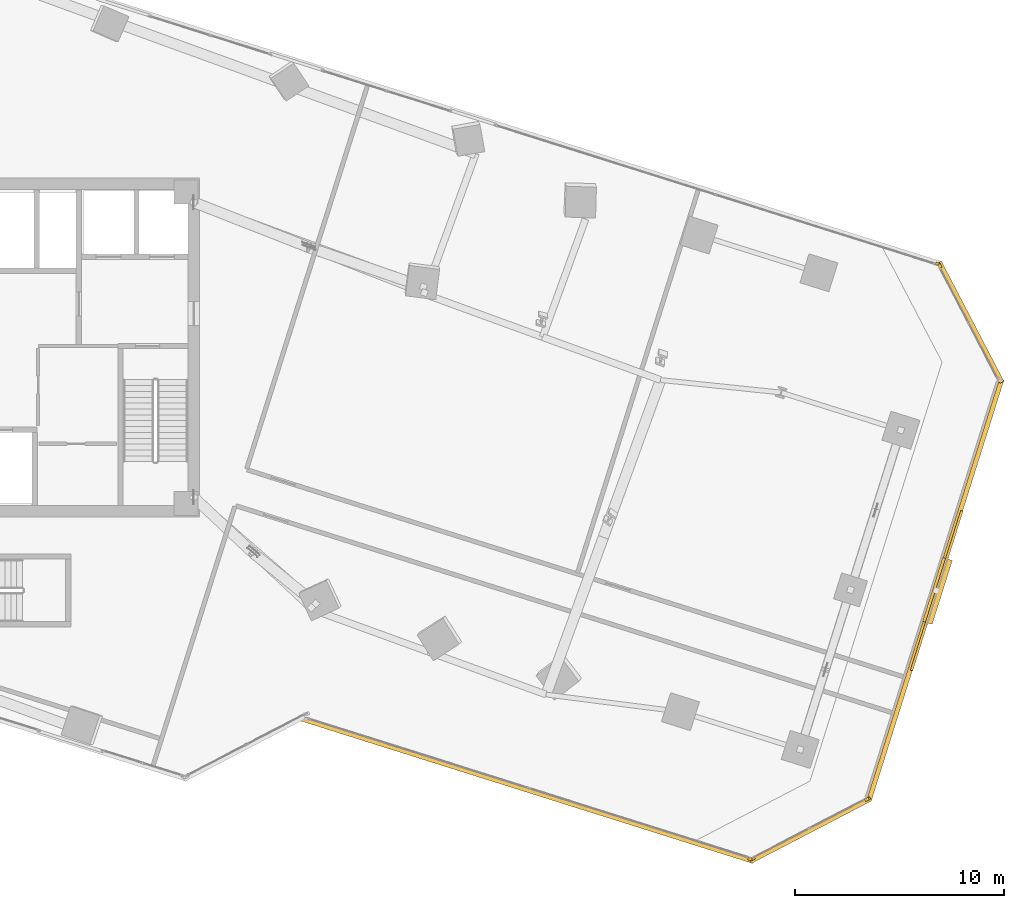
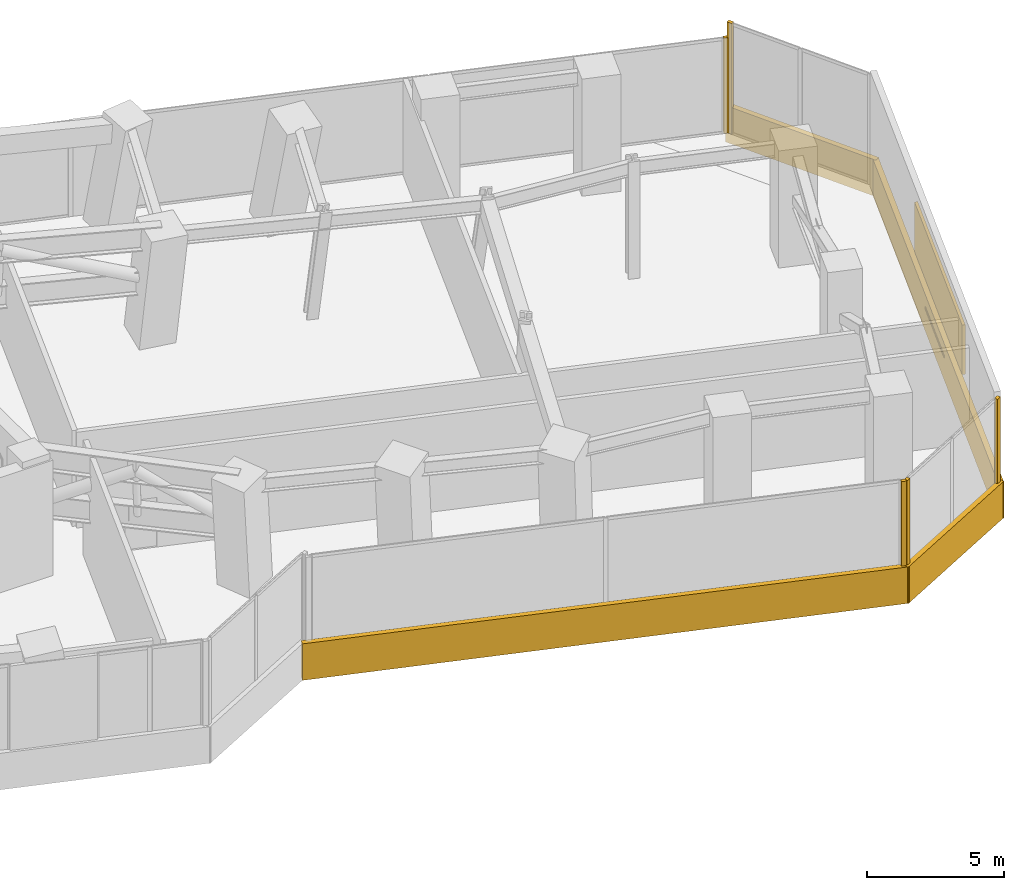
# One storey, part 27 of 29: 9 coverings, 2 shading devices.
"""IFC4 building model written with IfcOpenShell, lengths in metres."""

from ifc_helpers import new_model, si_unit, direction, frame, origin, origin_2d, place, context, subcontext, project, spatial, rectangle, extrude, source, transform, mapped, material, layer, layer_set, type_object, element, save


model = new_model("IFC4")

# Units and contexts
model_context = context("Model", 3, precision=1e-05, world=origin(), true_north=direction((0.0, 1.0)))
body_context = subcontext(model_context, "Body", "Model", "MODEL_VIEW")
ifc_project = project(units=[si_unit("LENGTHUNIT", "METRE"), si_unit("AREAUNIT", "SQUARE_METRE"), si_unit("VOLUMEUNIT", "CUBIC_METRE"), si_unit("PLANEANGLEUNIT", "RADIAN"), si_unit("MASSUNIT", "GRAM", prefix="KILO")], contexts=[model_context])

# Site, building, storey
site_placement = place(None, origin())
site = spatial("IfcSite", under=ifc_project, at=site_placement, CompositionType="ELEMENT")
building_placement = place(site_placement, origin())
building = spatial("IfcBuilding", under=site, at=building_placement, Name="Torre Montelarca", CompositionType="ELEMENT")
storey_placement = place(building_placement, frame((0.0, 0.0, 122.199951171875)))
storey = spatial("IfcBuildingStorey", under=building, at=storey_placement, Name="L27", CompositionType="ELEMENT", Elevation=122.199951171875)

# Coverings
ifc_material_1 = material(Name="Bush-hammered warm white precast concrete C45/55", Category="concrete")
ifc_layer_1 = layer(ifc_material_1, 0.139892578125, Name="Bush-hammered warm white precast concrete C45/55", Category="concrete")
ifc_layer_set_1 = layer_set([ifc_layer_1], Name="Bush-hammered warm white precast concrete C45/55")
covering_type = type_object("IfcCoveringType", Name="COV-TRAY-CLAD", PredefinedType="CLADDING", material=ifc_layer_set_1)
shared_shape_1 = source(origin(), body_context, "Body", "SweptSolid", [
    extrude(rectangle(XDim=6.48388671875, YDim=0.219970703125, at=origin_2d()), origin(), (0.0, 0.0, 1.0), 1.6201171875),
])
for number, where, z_axis, x_axis, name in (
    (1, (56.3046875, 8.93798828125, -0.449951171875), (0.0, 0.0, 1.0), (0.88701405677, 0.46174242072, 0.0), "L27 Architectural White Spandrel Tray Band TRYBOT-05"),
    (2, (63.9599609375, 33.21728515625, -0.449951171875), (0.0, 0.0, 1.0), (-0.461754805728, 0.887007609543, 0.0), "L27 Architectural White Spandrel Tray Band TRYBOT-07"),
):
    element("IfcCovering", number, at=place(storey_placement, frame(where, z_axis=z_axis, x_axis=x_axis)), inside=storey, type_object=covering_type, Name=name, PredefinedType="CLADDING", context=body_context, shape_type="MappedRepresentation", body=[
        mapped(shared_shape_1, transform((0.0, 0.0, 0.0), scale=1.0)),
    ])
shared_shape_2 = source(origin(), body_context, "Body", "SweptSolid", [
    extrude(rectangle(XDim=21.1201171875, YDim=0.219970703125, at=origin_2d()), origin(), (0.0, 0.0, 1.0), 1.6201171875),
])
covering_1_placement = place(storey_placement, frame((62.269775390625, 20.403564453125, -0.449951171875), z_axis=(0.0, 0.0, 1.0), x_axis=(0.300709128603, 0.953715901081, 0.0)))
element("IfcCovering", 3, at=covering_1_placement, inside=storey, type_object=covering_type, Name="L27 Architectural White Spandrel Tray Band TRYBOT-06", PredefinedType="CLADDING", context=body_context, shape_type="MappedRepresentation", body=[
    mapped(shared_shape_2, transform((0.0, 0.0, 0.0), scale=1.0)),
])

# Shading device
ifc_material_2 = material(Name="Anodised champagne bronze aluminium AA 6063-T6", Category="aluminium")
ifc_layer_2 = layer(ifc_material_2, 0.070068359375, Name="Anodised champagne bronze aluminium AA 6063-T6", Category="aluminium")
ifc_layer_set_2 = layer_set([ifc_layer_2], Name="Anodised champagne bronze aluminium AA 6063-T6")
shading_device_type_1 = type_object("IfcShadingDeviceType", Name="SHD-SUNSHADE-1", PredefinedType="USERDEFINED", material=ifc_layer_set_2)
shared_shape_3 = source(origin(), body_context, "Body", "SweptSolid", [
    extrude(rectangle(XDim=3.199951171875, YDim=0.47998046875, at=origin_2d()), origin(), (0.0, 0.0, 1.0), 0.10009765625),
])
shading_device_1_placement = place(storey_placement, frame((62.374755859375, 20.37060546875, 0.570068359375), z_axis=(0.0, 0.0, 1.0), x_axis=(0.300709128603, 0.953715901081, 0.0)))
element("IfcShadingDevice", 4, at=shading_device_1_placement, inside=storey, type_object=shading_device_type_1, Name="L27 Facade Solar Shading Device E6", ObjectType="SUNSHADE", PredefinedType="USERDEFINED", context=body_context, shape_type="MappedRepresentation", body=[
    mapped(shared_shape_3, transform((0.0, 0.0, 0.0), scale=1.0)),
])

# Coverings
shared_shape_4 = source(origin(), body_context, "Body", "SweptSolid", [
    extrude(rectangle(XDim=22.619873046875, YDim=0.219970703125, at=origin_2d()), origin(), (0.0, 0.0, 1.0), 1.6201171875),
])
covering_2_placement = place(storey_placement, frame((42.77587890625, 10.853515625, -0.449951171875), z_axis=(0.0, 0.0, 1.0), x_axis=(0.953718000404, -0.300702470402, 0.0)))
element("IfcCovering", 5, at=covering_2_placement, inside=storey, type_object=covering_type, Name="L27 Architectural White Spandrel Tray Band TRYBOT-04", PredefinedType="CLADDING", context=body_context, shape_type="MappedRepresentation", body=[
    mapped(shared_shape_4, transform((0.0, 0.0, 0.0), scale=1.0)),
])
shared_shape_5 = source(origin(), body_context, "Body", "SweptSolid", [
    extrude(rectangle(XDim=0.199951171875, YDim=0.139892578125, at=origin_2d()), origin(), (0.0, 0.0, 1.0), 4.919921875),
])
for number, where, z_axis, x_axis, name in (
    (6, (53.41259765625, 7.562744140625, 0.0), (0.0, 0.0, 1.0), (0.953718000404, -0.300702470402, 0.0), "L27 Architectural Column Pier Cladding E04-2"),
    (7, (53.55712890625, 7.5751953125, 0.0), (0.0, 0.0, 1.0), (0.887017280319, 0.461736228182, 0.0), "L27 Architectural Column Pier Cladding E05-1"),
    (8, (58.99658203125, 10.40673828125, 0.0), (0.0, 0.0, 1.0), (0.887017280319, 0.461736228182, 0.0), "L27 Architectural Column Pier Cladding E05-2"),
    (9, (62.490966796875, 35.9091796875, 0.0), (0.0, 0.0, 1.0), (-0.461748613235, 0.887010833178, 0.0), "L27 Architectural Column Pier Cladding E07-2"),
):
    element("IfcCovering", number, at=place(storey_placement, frame(where, z_axis=z_axis, x_axis=x_axis)), inside=storey, type_object=covering_type, Name=name, PredefinedType="CLADDING", context=body_context, shape_type="MappedRepresentation", body=[
        mapped(shared_shape_5, transform((0.0, 0.0, 0.0), scale=1.0)),
    ])

# Shading device
ifc_material_3 = material(Name="Architectural perforated terracotta ceramic", Category="masonry")
ifc_layer_3 = layer(ifc_material_3, 0.080078125, Name="Architectural perforated terracotta ceramic", Category="masonry")
ifc_layer_set_3 = layer_set([ifc_layer_3], Name="Architectural perforated terracotta ceramic")
shading_device_type_2 = type_object("IfcShadingDeviceType", Name="SHD-JALOUSIE-1", PredefinedType="JALOUSIE", material=ifc_layer_set_3)
shared_shape_6 = source(origin(), body_context, "Body", "SweptSolid", [
    extrude(rectangle(XDim=8.0, YDim=0.1201171875, at=origin_2d()), origin(), (0.0, 0.0, 1.0), 2.199951171875),
])
shading_device_2_placement = place(storey_placement, frame((62.336669921875, 20.382568359375, 1.4599609375), z_axis=(0.0, 0.0, 1.0), x_axis=(0.300707464054, 0.953716425916, 0.0)))
element("IfcShadingDevice", 10, at=shading_device_2_placement, inside=storey, type_object=shading_device_type_2, Name="L27 Belt-Truss Mechanical Louvre Screen E06", PredefinedType="JALOUSIE", context=body_context, shape_type="MappedRepresentation", body=[
    mapped(shared_shape_6, transform((0.0, 0.0, 0.0), scale=1.0)),
])

# Covering
shared_shape_7 = source(origin(), body_context, "Body", "SweptSolid", [
    extrude(rectangle(XDim=0.199951171875, YDim=0.139892578125, at=origin_2d()), origin(), (0.0, 0.0, 1.0), 4.235107421875),
])
covering_3_placement = place(storey_placement, frame((62.3798828125, 36.00244140625, 0.0), z_axis=(0.0, 0.0, 1.0), x_axis=(-0.953717475577, 0.300704134954, 0.0)))
element("IfcCovering", 11, at=covering_3_placement, inside=storey, type_object=covering_type, Name="L27 Architectural Column Pier Cladding E08-1", PredefinedType="CLADDING", context=body_context, shape_type="MappedRepresentation", body=[
    mapped(shared_shape_7, transform((0.0, 0.0, 0.0), scale=1.0)),
])

save(model, "model.ifc")
